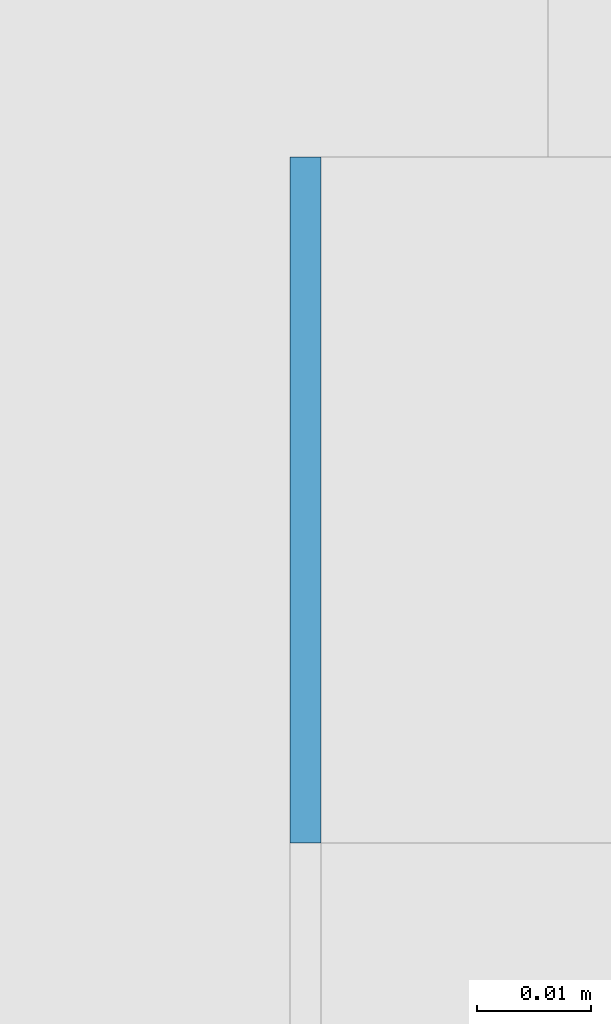
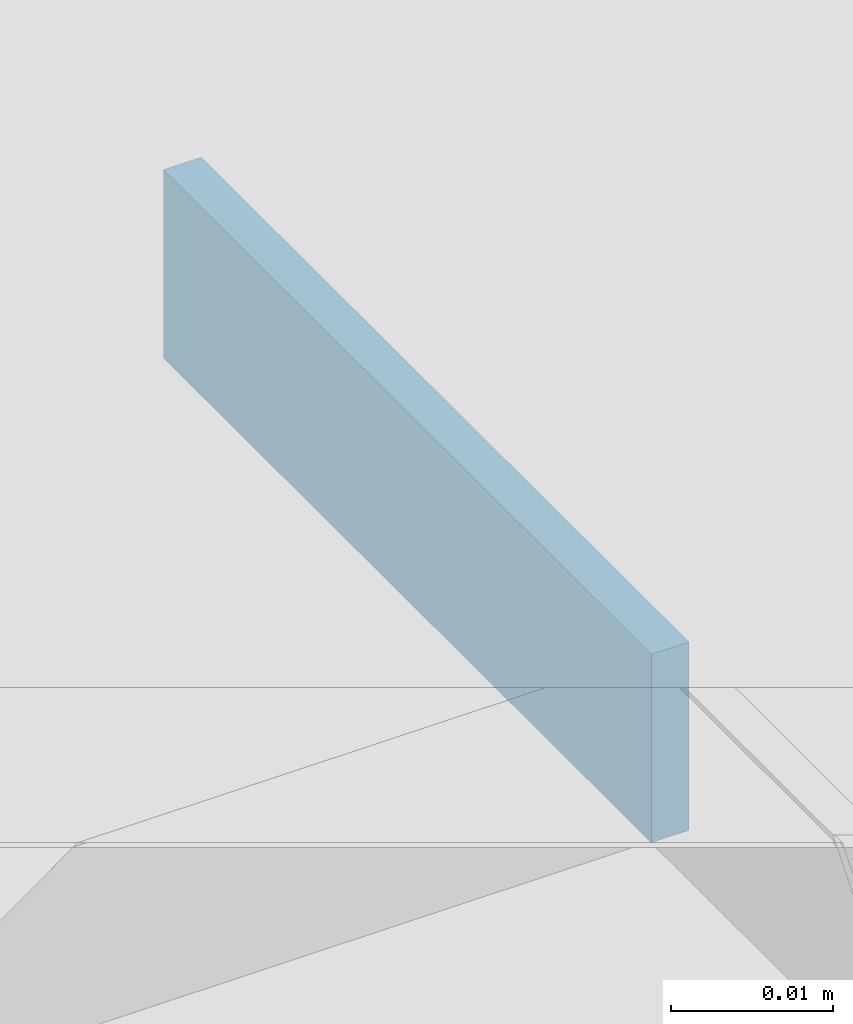
# One storey, part 573 of 646: 1 discrete accessory.
"""IFC4 building model written with IfcOpenShell, lengths in metres."""

from ifc_helpers import new_model, si_unit, direction, frame, origin, origin_2d, place, context, subcontext, project, spatial, rectangle, extrude, material, type_object, element, save


model = new_model("IFC4")

# Units and contexts
model_context = context("Model", 3, precision=1e-05, world=origin(), true_north=direction((0.0, 1.0)))
body_context = subcontext(model_context, "Body", "Model", "MODEL_VIEW")
ifc_project = project(units=[si_unit("LENGTHUNIT", "METRE"), si_unit("AREAUNIT", "SQUARE_METRE"), si_unit("VOLUMEUNIT", "CUBIC_METRE"), si_unit("PLANEANGLEUNIT", "RADIAN"), si_unit("MASSUNIT", "GRAM", prefix="KILO")], contexts=[model_context])

# Site, building, storey
site_placement = place(None, origin())
site = spatial("IfcSite", under=ifc_project, at=site_placement, CompositionType="ELEMENT")
building_placement = place(site_placement, origin())
building = spatial("IfcBuilding", under=site, at=building_placement, Name="Silverbay Arena", CompositionType="ELEMENT")
storey_placement = place(building_placement, frame((0.0, 0.0, 33.5)))
storey = spatial("IfcBuildingStorey", under=building, at=storey_placement, Name="L05", CompositionType="ELEMENT", Elevation=33.5)

# Discrete accessory
ifc_material = material(Name="Steel S355", Category="steel")
discrete_accessory_type = type_object("IfcDiscreteAccessoryType", Name="Steel bracket plate", PredefinedType="BRACKET", material=ifc_material)
discrete_accessory_placement = place(storey_placement, frame((207.128662109375, 108.030029296875, 12.98583984375), z_axis=(0.0, 0.0, 1.0), x_axis=(1.0, 0.0, 0.0)))
element("IfcDiscreteAccessory", 1, at=discrete_accessory_placement, inside=storey, type_object=discrete_accessory_type, Name="Curtain wall packing plate", PredefinedType="BRACKET", context=body_context, shape_type="SweptSolid", body=[
    extrude(rectangle(XDim=0.002685546875, YDim=0.06005859375, at=origin_2d()), origin(), (0.0, 0.0, 1.0), 0.01416015625),
])

save(model, "model.ifc")
